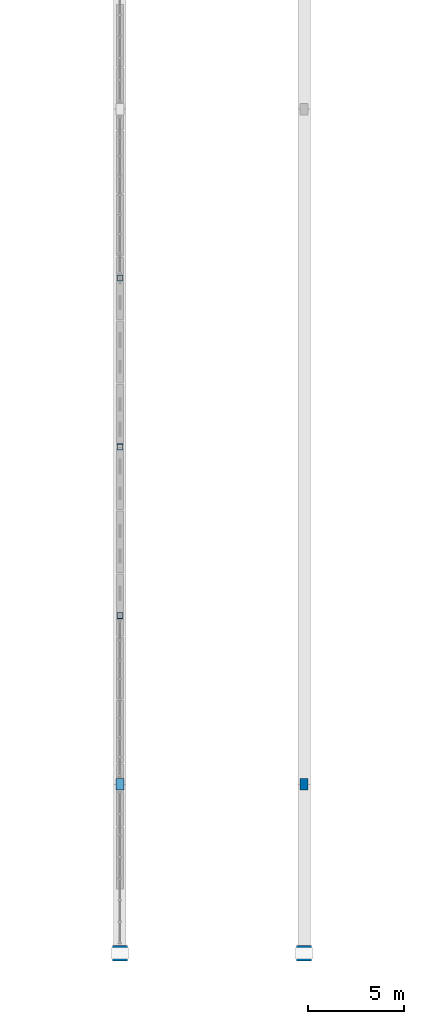
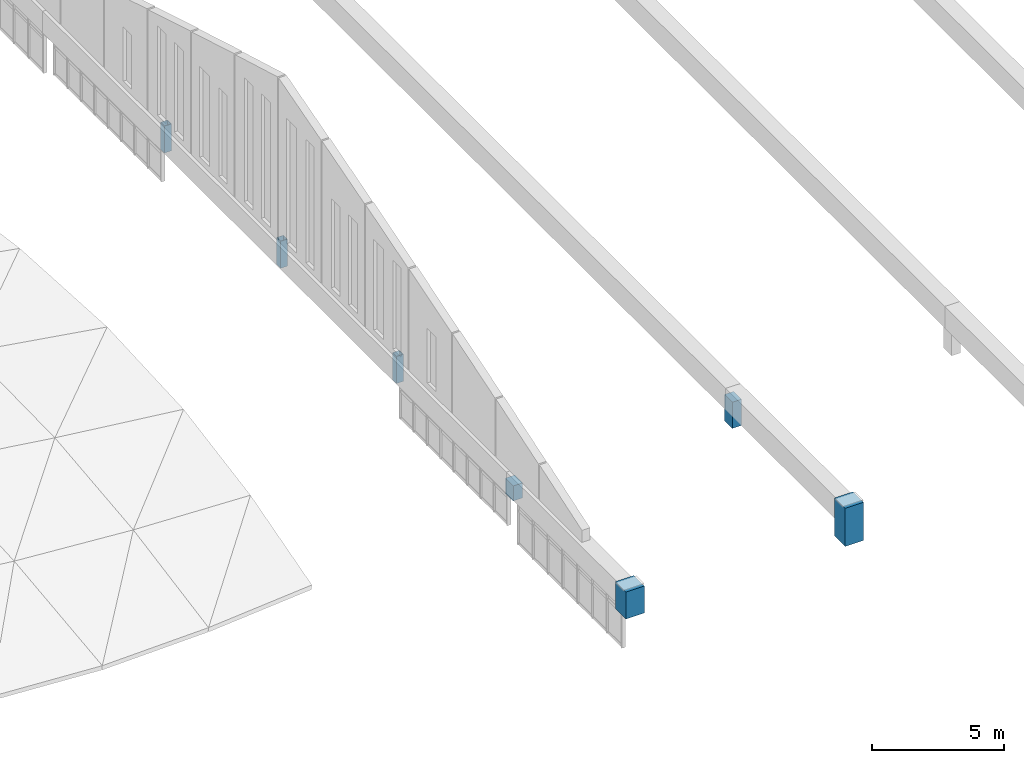
# One storey, part 1 of 65: 7 columns.
"""IFC4 building model written with IfcOpenShell, lengths in metres."""

from ifc_helpers import new_model, si_unit, direction, frame, origin, origin_2d, place, context, subcontext, project, spatial, rectangle, hollow_rectangle, extrude, material, material_profile, profile_set, type_object, element, save


model = new_model("IFC4")

# Units and contexts
model_context = context("Model", 3, precision=1e-05, world=origin(), true_north=direction((0.0, 1.0)))
body_context = subcontext(model_context, "Body", "Model", "MODEL_VIEW")
ifc_project = project(units=[si_unit("LENGTHUNIT", "METRE"), si_unit("AREAUNIT", "SQUARE_METRE"), si_unit("VOLUMEUNIT", "CUBIC_METRE"), si_unit("PLANEANGLEUNIT", "RADIAN"), si_unit("MASSUNIT", "GRAM", prefix="KILO")], contexts=[model_context])

# Site, building, storey
site_placement = place(None, origin())
site = spatial("IfcSite", under=ifc_project, at=site_placement, CompositionType="ELEMENT")
building_placement = place(site_placement, origin())
building = spatial("IfcBuilding", under=site, at=building_placement, Name="Chalmorin Arch Market", CompositionType="ELEMENT")
storey_placement = place(building_placement, frame((0.0, 0.0, 14.10009765625)))
storey = spatial("IfcBuildingStorey", under=building, at=storey_placement, Name="L03", CompositionType="ELEMENT", Elevation=14.10009765625)

# Columns
ifc_material_1 = material(Name="Concrete C50/60", Category="concrete")
ifc_material_profile_1 = material_profile(ifc_material_1, rectangle(XDim=0.800048828125, YDim=0.800048828125, at=origin_2d()), Name="RC800X800")
ifc_profile_set_1 = profile_set([ifc_material_profile_1], Name="Concrete C50/60")
column_type_1 = type_object("IfcColumnType", Name="ArchPierColumn-800x800", PredefinedType="COLUMN", material=ifc_profile_set_1)
column_1_placement = place(storey_placement, frame((48.0, 6.0, 0.0), z_axis=(0.0, 0.0, 1.0), x_axis=(1.0, 0.0, 0.0)))
element("IfcColumn", 1, at=column_1_placement, inside=storey, type_object=column_type_1, Name="C-AP1-194", PredefinedType="COLUMN", context=body_context, shape_type="SweptSolid", body=[
    extrude(rectangle(XDim=0.800048828125, YDim=0.800048828125, at=origin_2d()), origin(), (0.0, 0.0, 1.0), 1.25),
])
column_2_placement = place(storey_placement, frame((57.60009765625, 6.0, 0.0), z_axis=(0.0, 0.0, 1.0), x_axis=(1.0, 0.0, 0.0)))
element("IfcColumn", 2, at=column_2_placement, inside=storey, type_object=column_type_1, Name="C-AP1-261", PredefinedType="COLUMN", context=body_context, shape_type="SweptSolid", body=[
    extrude(rectangle(XDim=0.800048828125, YDim=0.800048828125, at=origin_2d()), origin(), (0.0, 0.0, 1.0), 1.766845703125),
])
ifc_material_2 = material(Name="Concrete C40/50", Category="concrete")
ifc_material_profile_2 = material_profile(ifc_material_2, rectangle(XDim=0.39990234375, YDim=0.60009765625, at=origin_2d()), Name="RC400X600")
ifc_profile_set_2 = profile_set([ifc_material_profile_2], Name="Concrete C40/50")
column_type_2 = type_object("IfcColumnType", Name="GalleryConcreteColumn-400x600", PredefinedType="COLUMN", material=ifc_profile_set_2)
column_3_placement = place(storey_placement, frame((48.0, 14.800048828125, 0.0), z_axis=(0.0, 0.0, 1.0), x_axis=(1.0, 0.0, 0.0)))
element("IfcColumn", 3, at=column_3_placement, inside=storey, type_object=column_type_2, Name="C-RC5-199", PredefinedType="COLUMN", context=body_context, shape_type="SweptSolid", body=[
    extrude(rectangle(XDim=0.39990234375, YDim=0.60009765625, at=origin_2d()), origin(), (0.0, 0.0, 1.0), 0.699951171875),
])
column_4_placement = place(storey_placement, frame((57.60009765625, 14.800048828125, 0.0), z_axis=(0.0, 0.0, 1.0), x_axis=(1.0, 0.0, 0.0)))
element("IfcColumn", 4, at=column_4_placement, inside=storey, type_object=column_type_2, Name="C-RC5-266", PredefinedType="COLUMN", context=body_context, shape_type="SweptSolid", body=[
    extrude(rectangle(XDim=0.39990234375, YDim=0.60009765625, at=origin_2d()), origin(), (0.0, 0.0, 1.0), 1.216796875),
])
ifc_material_3 = material(Name="Steel A500 Grade C", Category="steel")
ifc_material_profile_3 = material_profile(ifc_material_3, hollow_rectangle(XDim=0.3046875, YDim=0.3046875, WallThickness=0.01171875, at=origin_2d()), Name="HSS12X12X1/2")
ifc_profile_set_3 = profile_set([ifc_material_profile_3], Name="Steel A500 Grade C")
column_type_3 = type_object("IfcColumnType", Name="SteelTubeColumn-HSS12X12", PredefinedType="COLUMN", material=ifc_profile_set_3)
for number, where, z_axis, x_axis, name in (
    (5, (48.0, 23.60009765625, 0.0), (0.0, 0.0, 1.0), (1.0, 0.0, 0.0), "C-HS1-204"),
    (6, (48.0, 32.39990234375, 0.0), (0.0, 0.0, 1.0), (1.0, 0.0, 0.0), "C-HS1-209"),
    (7, (48.0, 41.199951171875, 0.0), (0.0, 0.0, 1.0), (1.0, 0.0, 0.0), "C-HS1-214"),
):
    element("IfcColumn", number, at=place(storey_placement, frame(where, z_axis=z_axis, x_axis=x_axis)), inside=storey, type_object=column_type_3, Name=name, PredefinedType="COLUMN", context=body_context, shape_type="SweptSolid", body=[
        extrude(hollow_rectangle(XDim=0.3046875, YDim=0.3046875, WallThickness=0.01171875, at=origin_2d()), origin(), (0.0, 0.0, 1.0), 1.25),
    ])

save(model, "model.ifc")
